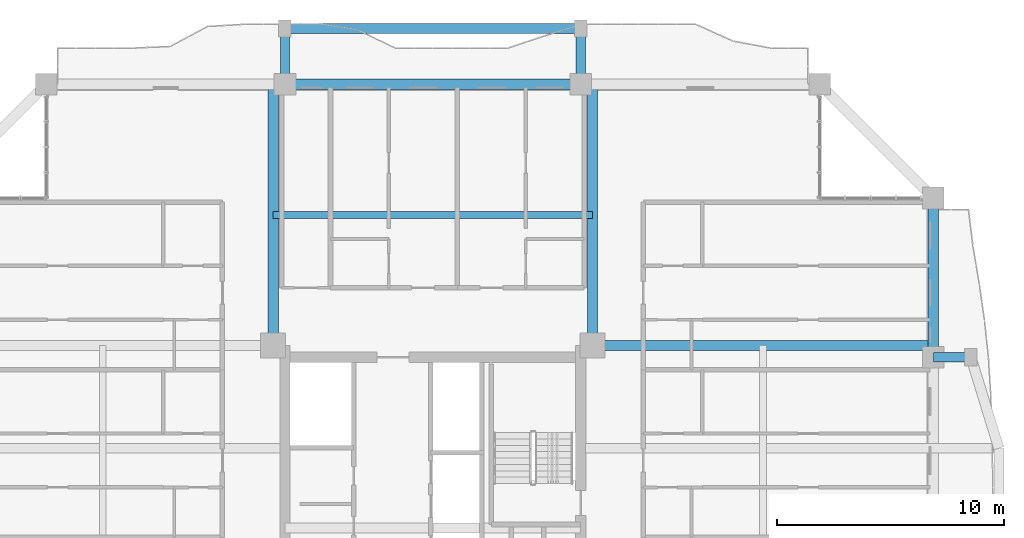
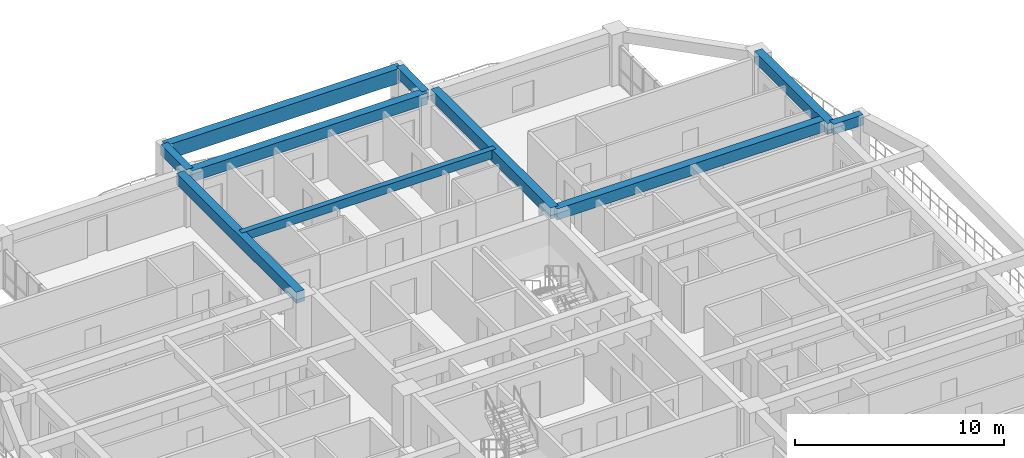
# One storey, part 8 of 23: 10 beams.
"""IFC4 building model written with IfcOpenShell, lengths in metres."""

from ifc_helpers import new_model, si_unit, direction, frame, origin, origin_2d, place, context, subcontext, project, spatial, rectangle, extrude, source, transform, mapped, material, material_profile, profile_set, type_object, element, save


model = new_model("IFC4")

# Units and contexts
model_context = context("Model", 3, precision=1e-05, world=origin(), true_north=direction((0.0, 1.0)))
body_context = subcontext(model_context, "Body", "Model", "MODEL_VIEW")
ifc_project = project(units=[si_unit("LENGTHUNIT", "METRE"), si_unit("AREAUNIT", "SQUARE_METRE"), si_unit("VOLUMEUNIT", "CUBIC_METRE"), si_unit("PLANEANGLEUNIT", "RADIAN"), si_unit("MASSUNIT", "GRAM", prefix="KILO")], contexts=[model_context])

# Site, building, storey
site_placement = place(None, origin())
site = spatial("IfcSite", under=ifc_project, at=site_placement, CompositionType="ELEMENT")
building_placement = place(site_placement, origin())
building = spatial("IfcBuilding", under=site, at=building_placement, Name="Saelheon Loggia Tower", CompositionType="ELEMENT")
storey_placement = place(building_placement, frame((0.0, 0.0, 156.10009765625)))
storey = spatial("IfcBuildingStorey", under=building, at=storey_placement, Name="L49", CompositionType="ELEMENT", Elevation=156.10009765625)

# Beams
ifc_material_1 = material(Name="Precast Concrete C45/55", Category="concrete")
ifc_material_profile_1 = material_profile(ifc_material_1, rectangle(XDim=0.449951171875, YDim=0.85009765625, at=origin_2d()), Name="RC-450x850")
ifc_profile_set_1 = profile_set([ifc_material_profile_1], Name="Precast Concrete C45/55")
beam_type_1 = type_object("IfcBeamType", Name="Beam_LoggiaSpandrel_RC450x850", PredefinedType="SPANDREL", material=ifc_profile_set_1)
shared_shape_1 = source(origin(), body_context, "Body", "SweptSolid", [
    extrude(rectangle(XDim=0.449951171875, YDim=0.85009765625, at=origin_2d()), origin(), (0.0, 0.0, 1.0), 13.0),
])
beam_1_placement = place(storey_placement, frame((31.5, 50.449951171875, 2.574951171875), z_axis=(1.0, 0.0, 0.0), x_axis=(0.0, 1.0, 0.0)))
element("IfcBeam", 1, at=beam_1_placement, inside=storey, type_object=beam_type_1, Name="L49 Loggia Spandrel Beam N", PredefinedType="SPANDREL", context=body_context, shape_type="MappedRepresentation", body=[
    mapped(shared_shape_1, transform((0.0, 0.0, 0.0), scale=1.0)),
])
ifc_material_profile_2 = material_profile(ifc_material_1, rectangle(XDim=0.39990234375, YDim=0.60009765625, at=origin_2d()), Name="RC-400x600")
ifc_profile_set_2 = profile_set([ifc_material_profile_2], Name="Precast Concrete C45/55")
beam_type_2 = type_object("IfcBeamType", Name="Beam_LoggiaTie_RC400x600", PredefinedType="BEAM", material=ifc_profile_set_2)
shared_shape_2 = source(origin(), body_context, "Body", "SweptSolid", [
    extrude(rectangle(XDim=0.39990234375, YDim=0.60009765625, at=origin_2d()), origin(), (0.0, 0.0, 1.0), 2.449951171875),
])
for number, where, z_axis, x_axis, name in (
    (2, (31.5, 48.0, 2.699951171875), (0.0, 1.0, 0.0), (-1.0, 0.0, 0.0), "L49 Loggia Frame Tie Beam LP-N1"),
    (3, (44.5, 48.0, 2.699951171875), (0.0, 1.0, 0.0), (-1.0, 0.0, 0.0), "L49 Loggia Frame Tie Beam LP-N2"),
):
    element("IfcBeam", number, at=place(storey_placement, frame(where, z_axis=z_axis, x_axis=x_axis)), inside=storey, type_object=beam_type_2, Name=name, PredefinedType="BEAM", context=body_context, shape_type="MappedRepresentation", body=[
        mapped(shared_shape_2, transform((0.0, 0.0, 0.0), scale=1.0)),
    ])
ifc_material_2 = material(Name="Concrete C40/50", Category="concrete")
ifc_material_profile_3 = material_profile(ifc_material_2, rectangle(XDim=0.449951171875, YDim=0.64990234375, at=origin_2d()), Name="RC-450x650")
ifc_profile_set_3 = profile_set([ifc_material_profile_3], Name="Concrete C40/50")
beam_type_3 = type_object("IfcBeamType", Name="Beam_PerimTower_RC450x650", PredefinedType="BEAM", material=ifc_profile_set_3)
shared_shape_3 = source(origin(), body_context, "Body", "SweptSolid", [
    extrude(rectangle(XDim=0.449951171875, YDim=0.64990234375, at=origin_2d()), origin(), (0.0, 0.0, 1.0), 13.0),
])
beam_2_placement = place(storey_placement, frame((44.5, 48.0, 2.6748046875), z_axis=(-1.0, 0.0, 0.0), x_axis=(0.0, -1.0, 0.0)))
element("IfcBeam", 4, at=beam_2_placement, inside=storey, type_object=beam_type_3, Name="L49 Perimeter Frame Girder 10", PredefinedType="BEAM", context=body_context, shape_type="MappedRepresentation", body=[
    mapped(shared_shape_3, transform((0.0, 0.0, 0.0), scale=1.0)),
])
ifc_material_profile_4 = material_profile(ifc_material_2, rectangle(XDim=0.300048828125, YDim=0.5, at=origin_2d()), Name="RC-300x500")
ifc_profile_set_4 = profile_set([ifc_material_profile_4], Name="Concrete C40/50")
beam_type_4 = type_object("IfcBeamType", Name="Beam_Joist_RC300x500", PredefinedType="JOIST", material=ifc_profile_set_4)
shared_shape_4 = source(origin(), body_context, "Body", "SweptSolid", [
    extrude(rectangle(XDim=0.300048828125, YDim=0.5, at=origin_2d()), origin(), (0.0, 0.0, 1.0), 14.0400390625),
])
beam_3_placement = place(storey_placement, frame((30.97998046875, 42.260009765625, 2.75), z_axis=(1.0, 0.0, 0.0), x_axis=(0.0, 1.0, 0.0)))
element("IfcBeam", 5, at=beam_3_placement, inside=storey, type_object=beam_type_4, Name="L49 North Floor Joist", PredefinedType="JOIST", context=body_context, shape_type="MappedRepresentation", body=[
    mapped(shared_shape_4, transform((0.0, 0.0, 0.0), scale=1.0)),
])
shared_shape_5 = source(origin(), body_context, "Body", "SweptSolid", [
    extrude(rectangle(XDim=0.449951171875, YDim=0.64990234375, at=origin_2d()), origin(), (0.0, 0.0, 1.0), 7.0),
])
beam_4_placement = place(storey_placement, frame((60.0, 36.0, 2.6748046875), z_axis=(0.0, 1.0, 0.0), x_axis=(-1.0, 0.0, 0.0)))
element("IfcBeam", 6, at=beam_4_placement, inside=storey, type_object=beam_type_3, Name="L49 Perimeter Frame Girder 07", PredefinedType="BEAM", context=body_context, shape_type="MappedRepresentation", body=[
    mapped(shared_shape_5, transform((0.0, 0.0, 0.0), scale=1.0)),
])
ifc_material_profile_5 = material_profile(ifc_material_2, rectangle(XDim=0.449951171875, YDim=0.64990234375, at=origin_2d()), Name="RC-450x650")
ifc_profile_set_5 = profile_set([ifc_material_profile_5], Name="Concrete C40/50")
beam_type_5 = type_object("IfcBeamType", Name="Beam_TowerGirder_RC450x650", PredefinedType="BEAM", material=ifc_profile_set_5)
shared_shape_6 = source(origin(), body_context, "Body", "SweptSolid", [
    extrude(rectangle(XDim=0.449951171875, YDim=0.64990234375, at=origin_2d()), origin(), (0.0, 0.0, 1.0), 11.47998046875),
])
for number, where, z_axis, x_axis, name in (
    (7, (30.97998046875, 36.52001953125, 2.6748046875), (0.0, 1.0, 0.0), (-1.0, 0.0, 0.0), "L49 Radial Floor Girder RAD-NW-N"),
    (8, (45.02001953125, 36.52001953125, 2.6748046875), (0.0, 1.0, 0.0), (-1.0, 0.0, 0.0), "L49 Radial Floor Girder RAD-NE-N"),
):
    element("IfcBeam", number, at=place(storey_placement, frame(where, z_axis=z_axis, x_axis=x_axis)), inside=storey, type_object=beam_type_5, Name=name, PredefinedType="BEAM", context=body_context, shape_type="MappedRepresentation", body=[
        mapped(shared_shape_6, transform((0.0, 0.0, 0.0), scale=1.0)),
    ])
shared_shape_7 = source(origin(), body_context, "Body", "SweptSolid", [
    extrude(rectangle(XDim=0.449951171875, YDim=0.64990234375, at=origin_2d()), origin(), (0.0, 0.0, 1.0), 14.97998046875),
])
beam_5_placement = place(storey_placement, frame((45.02001953125, 36.52001953125, 2.6748046875), z_axis=(1.0, 0.0, 0.0), x_axis=(0.0, 1.0, 0.0)))
element("IfcBeam", 9, at=beam_5_placement, inside=storey, type_object=beam_type_5, Name="L49 Radial Floor Girder RAD-NE-E", PredefinedType="BEAM", context=body_context, shape_type="MappedRepresentation", body=[
    mapped(shared_shape_7, transform((0.0, 0.0, 0.0), scale=1.0)),
])
shared_shape_8 = source(origin(), body_context, "Body", "SweptSolid", [
    extrude(rectangle(XDim=0.39990234375, YDim=0.60009765625, at=origin_2d()), origin(), (0.0, 0.0, 1.0), 1.64990234375),
])
beam_6_placement = place(storey_placement, frame((60.0, 36.0, 2.699951171875), z_axis=(1.0, 0.0, 0.0), x_axis=(0.0, 1.0, 0.0)))
element("IfcBeam", 10, at=beam_6_placement, inside=storey, type_object=beam_type_2, Name="L49 Loggia Frame Tie Beam LP-E2", PredefinedType="BEAM", context=body_context, shape_type="MappedRepresentation", body=[
    mapped(shared_shape_8, transform((0.0, 0.0, 0.0), scale=1.0)),
])

save(model, "model.ifc")
